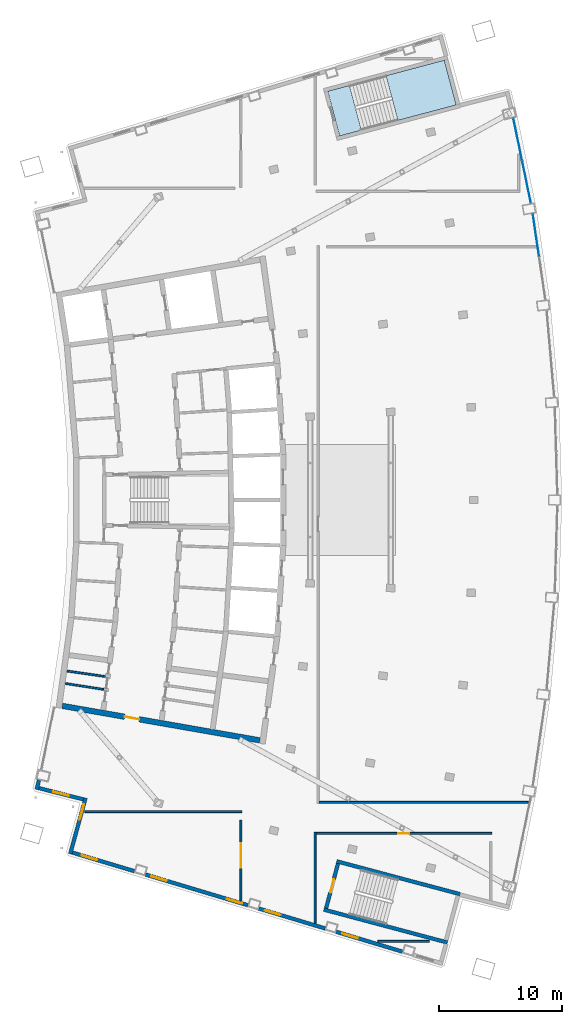
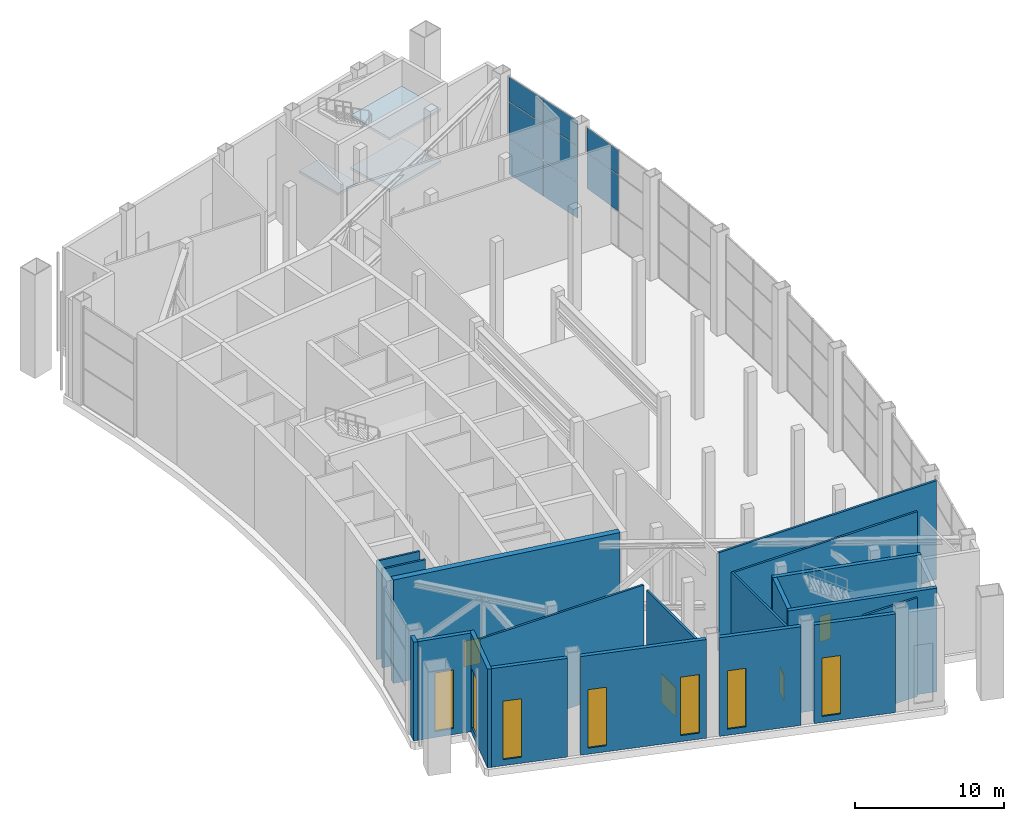
# One storey, part 17 of 25: 19 walls, 8 plates, 7 windows, 4 doors, 3 slabs, 11 openings, 3 elements without a shape of their own.
"""IFC4 building model written with IfcOpenShell, lengths in metres."""

from ifc_helpers import new_model, si_unit, direction, frame, frame_2d, origin, origin_2d, place, context, subcontext, project, spatial, polyline, rectangle, outline, extrude, material, layer, layer_set, type_object, element, fill, aggregate, save


model = new_model("IFC4")

# Units and contexts
model_context = context("Model", 3, precision=1e-05, world=origin(), true_north=direction((0.0, 1.0)))
body_context = subcontext(model_context, "Body", "Model", "MODEL_VIEW")
ifc_project = project(units=[si_unit("LENGTHUNIT", "METRE"), si_unit("AREAUNIT", "SQUARE_METRE"), si_unit("VOLUMEUNIT", "CUBIC_METRE"), si_unit("PLANEANGLEUNIT", "RADIAN"), si_unit("MASSUNIT", "GRAM", prefix="KILO")], contexts=[model_context])

# Site, building, storey
site_placement = place(None, origin())
site = spatial("IfcSite", under=ifc_project, at=site_placement, CompositionType="ELEMENT")
building_placement = place(site_placement, origin())
building = spatial("IfcBuilding", under=site, at=building_placement, Name="Alderwake Tower", CompositionType="ELEMENT")
storey_placement = place(building_placement, frame((0.0, 0.0, 296.0)))
storey = spatial("IfcBuildingStorey", under=building, at=storey_placement, Name="L73", CompositionType="ELEMENT", Elevation=296.0)

# Stair, slabs
ifc_material_1 = material(Name="Concrete C40/50", Category="concrete")
stair_type = type_object("IfcStairType", Name="Core exit stair", PredefinedType="HALF_TURN_STAIR", material=ifc_material_1)
stair_placement = place(storey_placement, origin())
stair = element("IfcStair", 1, at=stair_placement, inside=storey, type_object=stair_type, Name="L73 Exit Stair A", PredefinedType="HALF_TURN_STAIR")
ifc_material_2 = material(Name="Concrete C40/50", Category="concrete")
ifc_layer_1 = layer(ifc_material_2, 0.199951171875)
ifc_layer_set_1 = layer_set([ifc_layer_1], Name="Core stair landing 200")
slab_type = type_object("IfcSlabType", Name="Core stair landing 200", PredefinedType="LANDING", material=ifc_layer_set_1)
slab_1_placement = place(storey_placement, frame((0.0, 0.0, 1.925048828125)))
slab_1 = element("IfcSlab", 2, at=slab_1_placement, type_object=slab_type, Name="ST-A landing 1", PredefinedType="LANDING", context=body_context, shape_type="SweptSolid", body=[
    extrude(outline(polyline([(42.711181640625, 91.744384765625), (47.436279296875, 93.003173828125), (46.47119140625, 96.626708984375), (41.745849609375, 95.3681640625), (42.711181640625, 91.744384765625)])), origin(), (0.0, 0.0, 1.0), 0.199951171875),
])
slab_2_placement = place(storey_placement, frame((0.0, 0.0, 4.050048828125)))
slab_2 = element("IfcSlab", 3, at=slab_2_placement, type_object=slab_type, Name="ST-A landing 2", PredefinedType="LANDING", context=body_context, shape_type="SweptSolid", body=[
    extrude(outline(polyline([(37.99072265625, 90.487060546875), (39.754150390625, 90.956787109375), (38.7890625, 94.58056640625), (37.025634765625, 94.11083984375), (37.99072265625, 90.487060546875)])), origin(), (0.0, 0.0, 1.0), 0.199951171875),
])
slab_3_placement = place(storey_placement, frame((0.0, 0.0, 6.175048828125)))
slab_3 = element("IfcSlab", 4, at=slab_3_placement, type_object=slab_type, Name="ST-A landing 3", PredefinedType="LANDING", context=body_context, shape_type="SweptSolid", body=[
    extrude(outline(polyline([(42.711181640625, 91.744384765625), (47.436279296875, 93.003173828125), (46.47119140625, 96.626708984375), (41.745849609375, 95.3681640625), (42.711181640625, 91.744384765625)])), origin(), (0.0, 0.0, 1.0), 0.199951171875),
])
aggregate(stair, [slab_1, slab_2, slab_3])

# Curtain wall, plates
ifc_material_3 = material(Name="Bronze tinted glass in aluminium frame", Category="aluminium")
ifc_layer_2 = layer(ifc_material_3, 0.199951171875)
ifc_layer_set_2 = layer_set([ifc_layer_2], Name="Curtain wall CW4 damper floor viewing glazing")
curtain_wall_type = type_object("IfcCurtainWallType", Name="Curtain wall CW4 damper floor viewing glazing", PredefinedType="NOTDEFINED", material=ifc_layer_set_2)
curtain_wall_1_placement = place(storey_placement, origin())
curtain_wall_1 = element("IfcCurtainWall", 5, at=curtain_wall_1_placement, inside=storey, type_object=curtain_wall_type, Name="Curtain wall 7", PredefinedType="NOTDEFINED")
ifc_material_4 = material(Name="Bronze tinted glass in aluminium frame", Category="aluminium")
ifc_layer_3 = layer(ifc_material_4, 0.028076171875)
ifc_layer_set_3 = layer_set([ifc_layer_3], Name="Glass panel GPD 28")
plate_type = type_object("IfcPlateType", Name="Glass panel GPD 28", PredefinedType="CURTAIN_PANEL", material=ifc_layer_set_3)
plate_1_placement = place(storey_placement, frame((53.8984375, 82.437255859375, 3.030029296875), z_axis=(0.0, 0.0, 1.0), x_axis=(-0.145310296412, 0.989386131779, 0.0)))
plate_1 = element("IfcPlate", 6, at=plate_1_placement, type_object=plate_type, Name="CW.07 panel 2.2", PredefinedType="CURTAIN_PANEL", context=body_context, shape_type="SweptSolid", body=[
    extrude(rectangle(XDim=3.444091796875, YDim=0.028076171875, at=origin_2d()), origin(), (0.0, 0.0, 1.0), 2.93994140625),
])
plate_2_placement = place(storey_placement, frame((53.8984375, 82.437255859375, 6.02978515625), z_axis=(0.0, 0.0, 1.0), x_axis=(-0.145310296412, 0.989386131779, 0.0)))
plate_2 = element("IfcPlate", 7, at=plate_2_placement, type_object=plate_type, Name="CW.07 panel 2.3", PredefinedType="CURTAIN_PANEL", context=body_context, shape_type="SweptSolid", body=[
    extrude(rectangle(XDim=3.444091796875, YDim=0.028076171875, at=origin_2d()), origin(), (0.0, 0.0, 1.0), 2.010009765625),
])
aggregate(curtain_wall_1, [plate_1, plate_2])

curtain_wall_2_placement = place(storey_placement, origin())
curtain_wall_2 = element("IfcCurtainWall", 8, at=curtain_wall_2_placement, inside=storey, type_object=curtain_wall_type, Name="Curtain wall 8", PredefinedType="NOTDEFINED")
plate_3_placement = place(storey_placement, frame((53.13134765625, 86.77587890625, 0.06005859375), z_axis=(0.0, 0.0, 1.0), x_axis=(-0.202760916683, 0.979228273012, 0.0)))
plate_3 = element("IfcPlate", 9, at=plate_3_placement, type_object=plate_type, Name="CW.08 panel 1.1", PredefinedType="CURTAIN_PANEL", context=body_context, shape_type="SweptSolid", body=[
    extrude(rectangle(XDim=3.444091796875, YDim=0.028076171875, at=origin_2d()), origin(), (0.0, 0.0, 1.0), 2.909912109375),
])
plate_4_placement = place(storey_placement, frame((53.13134765625, 86.77587890625, 3.030029296875), z_axis=(0.0, 0.0, 1.0), x_axis=(-0.202760916683, 0.979228273012, 0.0)))
plate_4 = element("IfcPlate", 10, at=plate_4_placement, type_object=plate_type, Name="CW.08 panel 1.2", PredefinedType="CURTAIN_PANEL", context=body_context, shape_type="SweptSolid", body=[
    extrude(rectangle(XDim=3.444091796875, YDim=0.028076171875, at=origin_2d()), origin(), (0.0, 0.0, 1.0), 2.93994140625),
])
plate_5_placement = place(storey_placement, frame((53.13134765625, 86.77587890625, 6.02978515625), z_axis=(0.0, 0.0, 1.0), x_axis=(-0.202760916683, 0.979228273012, 0.0)))
plate_5 = element("IfcPlate", 11, at=plate_5_placement, type_object=plate_type, Name="CW.08 panel 1.3", PredefinedType="CURTAIN_PANEL", context=body_context, shape_type="SweptSolid", body=[
    extrude(rectangle(XDim=3.444091796875, YDim=0.028076171875, at=origin_2d()), origin(), (0.0, 0.0, 1.0), 2.010009765625),
])
plate_6_placement = place(storey_placement, frame((52.4208984375, 90.207275390625, 0.06005859375), z_axis=(0.0, 0.0, 1.0), x_axis=(-0.202760916683, 0.979228273012, 0.0)))
plate_6 = element("IfcPlate", 12, at=plate_6_placement, type_object=plate_type, Name="CW.08 panel 2.1", PredefinedType="CURTAIN_PANEL", context=body_context, shape_type="SweptSolid", body=[
    extrude(rectangle(XDim=3.444091796875, YDim=0.028076171875, at=origin_2d()), origin(), (0.0, 0.0, 1.0), 2.909912109375),
])
plate_7_placement = place(storey_placement, frame((52.4208984375, 90.207275390625, 3.030029296875), z_axis=(0.0, 0.0, 1.0), x_axis=(-0.202760916683, 0.979228273012, 0.0)))
plate_7 = element("IfcPlate", 13, at=plate_7_placement, type_object=plate_type, Name="CW.08 panel 2.2", PredefinedType="CURTAIN_PANEL", context=body_context, shape_type="SweptSolid", body=[
    extrude(rectangle(XDim=3.444091796875, YDim=0.028076171875, at=origin_2d()), origin(), (0.0, 0.0, 1.0), 2.93994140625),
])
plate_8_placement = place(storey_placement, frame((52.4208984375, 90.207275390625, 6.02978515625), z_axis=(0.0, 0.0, 1.0), x_axis=(-0.202760916683, 0.979228273012, 0.0)))
plate_8 = element("IfcPlate", 14, at=plate_8_placement, type_object=plate_type, Name="CW.08 panel 2.3", PredefinedType="CURTAIN_PANEL", context=body_context, shape_type="SweptSolid", body=[
    extrude(rectangle(XDim=3.444091796875, YDim=0.028076171875, at=origin_2d()), origin(), (0.0, 0.0, 1.0), 2.010009765625),
])
aggregate(curtain_wall_2, [plate_3, plate_4, plate_5, plate_6, plate_7, plate_8])

# Walls
ifc_material_5 = material(Name="Gypsum shaft wall system, rated")
ifc_layer_4 = layer(ifc_material_5, 0.14990234375)
ifc_layer_set_4 = layer_set([ifc_layer_4], Name="Core room partition 150")
wall_type_1 = type_object("IfcWallType", Name="Core room partition 150", PredefinedType="PARTITIONING", material=ifc_layer_set_4)
wall_1_placement = place(storey_placement, frame((15.777099609375, 46.136474609375, 0.0), z_axis=(0.0, 0.0, 1.0), x_axis=(0.988162490428, -0.153410861774, 0.0)))
element("IfcWall", 15, at=wall_1_placement, inside=storey, type_object=wall_type_1, Name="CW/L73/PR-161_+0", PredefinedType="PARTITIONING", context=body_context, shape_type="SweptSolid", body=[
    extrude(rectangle(XDim=3.13037109375, YDim=0.14990234375, at=frame_2d((1.565185546875, 0.0))), origin(), (0.0, 0.0, 1.0), 8.10009765625),
])
wall_2_placement = place(storey_placement, frame((15.916015625, 47.146484375, 0.0), z_axis=(0.0, 0.0, 1.0), x_axis=(0.989723447804, -0.142994744194, 0.0)))
element("IfcWall", 16, at=wall_2_placement, inside=storey, type_object=wall_type_1, Name="CW/L73/PR-150_+0", PredefinedType="PARTITIONING", context=body_context, shape_type="SweptSolid", body=[
    extrude(rectangle(XDim=3.1279296875, YDim=0.14990234375, at=frame_2d((1.56396484375, 0.0))), origin(), (0.0, 0.0, 1.0), 8.10009765625),
])

# Wall, opening, door
ifc_material_6 = material(Name="Concrete C70/85", Category="concrete")
ifc_layer_5 = layer(ifc_material_6, 0.449951171875)
ifc_layer_set_5 = layer_set([ifc_layer_5], Name="Core wall outer 450 C70-85")
wall_type_2 = type_object("IfcWallType", Name="Core wall outer 450 C70-85", PredefinedType="SHEAR", material=ifc_layer_set_5)
wall_3_placement = place(storey_placement, frame((31.523681640625, 41.529052734375, 0.0), z_axis=(0.0, 0.0, 1.0), x_axis=(-0.985099762962, 0.171983885907, 0.0)))
wall_3 = element("IfcWall", 17, at=wall_3_placement, inside=storey, type_object=wall_type_2, Name="Core wall CW.073", PredefinedType="SHEAR", context=body_context, shape_type="SweptSolid", body=[
    extrude(rectangle(XDim=16.23828125, YDim=0.449951171875, at=frame_2d((8.119140625, 0.0))), origin(), (0.0, 0.0, 1.0), 8.5),
])
opening_1_placement = place(wall_3_placement, frame((9.91064453125, 0.0, 0.0)))
opening_1 = element("IfcOpeningElement", 18, at=opening_1_placement, cuts=wall_3, Name="Opening C003", PredefinedType="OPENING", context=body_context, shape_type="SweptSolid", body=[
    extrude(rectangle(XDim=1.199951171875, YDim=2.10009765625, at=frame_2d((0.60009765625, 1.050048828125))), frame((0.0, 0.23486328125, 0.0), z_axis=(0.0, -1.0, 0.0), x_axis=(1.0, 0.0, 0.0)), (0.0, 0.0, 1.0), 0.469970703125),
])
ifc_material_7 = material(Name="Steel-framed fire door leaf", Category="steel")
door_type_1 = type_object("IfcDoorType", Name="Core lobby exit door 1200 fire-rated", OperationType="SINGLE_SWING_LEFT", PredefinedType="DOOR", material=ifc_material_7)
door_1_placement = place(opening_1_placement, origin())
door_1 = element("IfcDoor", 19, at=door_1_placement, inside=storey, type_object=door_type_1, Name="Lobby door", OperationType="SINGLE_SWING_LEFT", OverallHeight=2.10009765625, OverallWidth=1.199951171875, PredefinedType="DOOR", context=body_context, shape_type="SweptSolid", body=[
    extrude(rectangle(XDim=1.199951171875, YDim=2.10009765625, at=frame_2d((0.60009765625, 1.050048828125))), frame((0.0, 0.02490234375, 0.0), z_axis=(0.0, -1.0, 0.0), x_axis=(1.0, 0.0, 0.0)), (0.0, 0.0, 1.0), 0.050048828125),
])
fill(opening_1, door_1)

# Walls
ifc_material_8 = material(Name="Concrete C70/85", Category="concrete")
ifc_layer_6 = layer(ifc_material_8, 0.300048828125)
ifc_layer_set_6 = layer_set([ifc_layer_6], Name="Core wall stair enclosure 300 C70-85")
wall_type_3 = type_object("IfcWallType", Name="Core wall stair enclosure 300 C70-85", PredefinedType="SHEAR", material=ifc_layer_set_6)
for number, where, z_axis, x_axis, name in (
    (20, (37.75390625, 31.731201171875, 0.0), (0.0, 0.0, 1.0), (0.966309214305, -0.257383958996, 0.0), "Core wall CW.086"),
    (21, (36.71142578125, 27.817626953125, 0.0), (0.0, 0.0, 1.0), (0.966309214305, -0.257383958996, 0.0), "Core wall CW.088"),
):
    element("IfcWall", number, at=place(storey_placement, frame(where, z_axis=z_axis, x_axis=x_axis)), inside=storey, type_object=wall_type_3, Name=name, PredefinedType="SHEAR", context=body_context, shape_type="SweptSolid", body=[
        extrude(rectangle(XDim=10.360107421875, YDim=0.300048828125, at=frame_2d((5.18017578125, 0.0))), origin(), (0.0, 0.0, 1.0), 8.5),
    ])

# Wall, opening, door
wall_4_placement = place(storey_placement, frame((36.89501953125, 27.923828125, 0.0), z_axis=(0.0, 0.0, 1.0), x_axis=(0.257350630826, 0.966318090907, 0.0)))
wall_4 = element("IfcWall", 22, at=wall_4_placement, inside=storey, type_object=wall_type_3, Name="Core wall CW.087", PredefinedType="SHEAR", context=body_context, shape_type="SweptSolid", body=[
    extrude(rectangle(XDim=3.75, YDim=0.300048828125, at=frame_2d((1.875, 0.0))), origin(), (0.0, 0.0, 1.0), 8.5),
])
opening_2_placement = place(wall_4_placement, frame((1.324951171875, 0.0, 0.0)))
opening_2 = element("IfcOpeningElement", 23, at=opening_2_placement, cuts=wall_4, Name="Opening C065", PredefinedType="OPENING", context=body_context, shape_type="SweptSolid", body=[
    extrude(rectangle(XDim=1.10009765625, YDim=2.10009765625, at=frame_2d((0.550048828125, 1.050048828125))), frame((0.0, 0.159912109375, 0.0), z_axis=(0.0, -1.0, 0.0), x_axis=(1.0, 0.0, 0.0)), (0.0, 0.0, 1.0), 0.320068359375),
])
ifc_material_9 = material(Name="Steel-framed fire door leaf", Category="steel")
door_type_2 = type_object("IfcDoorType", Name="Core stair door 1100 fire-rated", OperationType="SINGLE_SWING_LEFT", PredefinedType="DOOR", material=ifc_material_9)
door_2_placement = place(opening_2_placement, origin())
door_2 = element("IfcDoor", 24, at=door_2_placement, inside=storey, type_object=door_type_2, Name="Stair door", OperationType="SINGLE_SWING_LEFT", OverallHeight=2.10009765625, OverallWidth=1.10009765625, PredefinedType="DOOR", context=body_context, shape_type="SweptSolid", body=[
    extrude(rectangle(XDim=1.10009765625, YDim=2.10009765625, at=frame_2d((0.550048828125, 1.050048828125))), frame((0.0, 0.02490234375, 0.0), z_axis=(0.0, -1.0, 0.0), x_axis=(1.0, 0.0, 0.0)), (0.0, 0.0, 1.0), 0.050048828125),
])
fill(opening_2, door_2)

# Wall
ifc_material_10 = material(Name="Gypsum board on metal studs, rated")
ifc_layer_7 = layer(ifc_material_10, 0.159912109375)
ifc_layer_set_7 = layer_set([ifc_layer_7], Name="Corridor wall 160")
wall_type_4 = type_object("IfcWallType", Name="Corridor wall 160", PredefinedType="PARTITIONING", material=ifc_layer_set_7)
wall_5_placement = place(storey_placement, frame((17.356689453125, 35.7509765625, 0.0), z_axis=(0.0, 0.0, 1.0), x_axis=(1.0, 0.0, 0.0)))
element("IfcWall", 25, at=wall_5_placement, inside=storey, type_object=wall_type_4, Name="WL/L73/W03", PredefinedType="PARTITIONING", context=body_context, shape_type="SweptSolid", body=[
    extrude(rectangle(XDim=12.723388671875, YDim=0.159912109375, at=frame_2d((6.36181640625, 0.0))), origin(), (0.0, 0.0, 1.0), 8.10009765625),
])

# Wall, opening, door
wall_6_placement = place(storey_placement, frame((30.0, 35.071044921875, 0.0), z_axis=(0.0, 0.0, 1.0), x_axis=(0.0, -1.0, 0.0)))
wall_6 = element("IfcWall", 26, at=wall_6_placement, inside=storey, type_object=wall_type_4, Name="WL/L73/W04", PredefinedType="PARTITIONING", context=body_context, shape_type="SweptSolid", body=[
    extrude(rectangle(XDim=6.553955078125, YDim=0.159912109375, at=frame_2d((3.27685546875, 0.0))), origin(), (0.0, 0.0, 1.0), 8.10009765625),
])
opening_3_placement = place(wall_6_placement, frame((1.87109375, 0.0, 0.0)))
opening_3 = element("IfcOpeningElement", 27, at=opening_3_placement, cuts=wall_6, Name="Opening L73-02", PredefinedType="OPENING", context=body_context, shape_type="SweptSolid", body=[
    extrude(rectangle(XDim=2.0, YDim=2.39990234375, at=frame_2d((1.0, 1.199951171875))), frame((0.0, 0.08984375, 0.0), z_axis=(0.0, -1.0, 0.0), x_axis=(1.0, 0.0, 0.0)), (0.0, 0.0, 1.0), 0.179931640625),
])
ifc_material_11 = material(Name="Timber leaves with glazed panels", Category="wood")
door_type_3 = type_object("IfcDoorType", Name="Hall double door 2000", OperationType="DOUBLE_DOOR_SINGLE_SWING", PredefinedType="DOOR", material=ifc_material_11)
door_3_placement = place(opening_3_placement, origin())
door_3 = element("IfcDoor", 28, at=door_3_placement, inside=storey, type_object=door_type_3, Name="DR/L73/02", OperationType="DOUBLE_DOOR_SINGLE_SWING", OverallHeight=2.39990234375, OverallWidth=2.0, PredefinedType="DOOR", context=body_context, shape_type="SweptSolid", body=[
    extrude(rectangle(XDim=2.0, YDim=2.39990234375, at=frame_2d((1.0, 1.199951171875))), frame((0.0, 0.02490234375, 0.0), z_axis=(0.0, -1.0, 0.0), x_axis=(1.0, 0.0, 0.0)), (0.0, 0.0, 1.0), 0.050048828125),
])
fill(opening_3, door_3)

# Wall
wall_7_placement = place(storey_placement, frame((36.0, 26.717041015625, 0.0), z_axis=(0.0, 0.0, 1.0), x_axis=(0.0, 1.0, 0.0)))
element("IfcWall", 29, at=wall_7_placement, inside=storey, type_object=wall_type_4, Name="WL/L73/W07", PredefinedType="PARTITIONING", context=body_context, shape_type="SweptSolid", body=[
    extrude(rectangle(XDim=7.362060546875, YDim=0.159912109375, at=frame_2d((3.68115234375, 0.0))), origin(), (0.0, 0.0, 1.0), 8.10009765625),
])

# Wall, opening, door
wall_8_placement = place(storey_placement, frame((36.080078125, 33.9990234375, 0.0), z_axis=(0.0, 0.0, 1.0), x_axis=(1.0, 0.0, 0.0)))
wall_8 = element("IfcWall", 30, at=wall_8_placement, inside=storey, type_object=wall_type_4, Name="WL/L73/W08", PredefinedType="PARTITIONING", context=body_context, shape_type="SweptSolid", body=[
    extrude(rectangle(XDim=14.25, YDim=0.159912109375, at=frame_2d((7.125, 0.0))), origin(), (0.0, 0.0, 1.0), 8.10009765625),
])
opening_4_placement = place(wall_8_placement, frame((6.669921875, 0.0, 0.0)))
opening_4 = element("IfcOpeningElement", 31, at=opening_4_placement, cuts=wall_8, Name="Opening L73-05", PredefinedType="OPENING", context=body_context, shape_type="SweptSolid", body=[
    extrude(rectangle(XDim=0.89990234375, YDim=2.10009765625, at=frame_2d((0.449951171875, 1.050048828125))), frame((0.0, 0.08984375, 0.0), z_axis=(0.0, -1.0, 0.0), x_axis=(1.0, 0.0, 0.0)), (0.0, 0.0, 1.0), 0.179931640625),
])
ifc_material_12 = material(Name="Painted timber leaf", Category="wood")
door_type_4 = type_object("IfcDoorType", Name="Room door 900", OperationType="SINGLE_SWING_LEFT", PredefinedType="DOOR", material=ifc_material_12)
door_4_placement = place(opening_4_placement, origin())
door_4 = element("IfcDoor", 32, at=door_4_placement, inside=storey, type_object=door_type_4, Name="DR/L73/05", OperationType="SINGLE_SWING_LEFT", OverallHeight=2.10009765625, OverallWidth=0.89990234375, PredefinedType="DOOR", context=body_context, shape_type="SweptSolid", body=[
    extrude(rectangle(XDim=0.89990234375, YDim=2.10009765625, at=frame_2d((0.449951171875, 1.050048828125))), frame((0.0, 0.02490234375, 0.0), z_axis=(0.0, -1.0, 0.0), x_axis=(1.0, 0.0, 0.0)), (0.0, 0.0, 1.0), 0.050048828125),
])
fill(opening_4, door_4)

# Walls
wall_9_placement = place(storey_placement, frame((45.26123046875, 25.2509765625, 0.0), z_axis=(0.0, 0.0, 1.0), x_axis=(-1.0, 0.0, 0.0)))
element("IfcWall", 33, at=wall_9_placement, inside=storey, type_object=wall_type_4, Name="WL/L73/W16", PredefinedType="PARTITIONING", context=body_context, shape_type="SweptSolid", body=[
    extrude(rectangle(XDim=4.179443359375, YDim=0.159912109375, at=frame_2d((2.08984375, 0.0))), origin(), (0.0, 0.0, 1.0), 8.10009765625),
])
wall_10_placement = place(storey_placement, frame((53.251953125, 36.5009765625, 0.0), z_axis=(0.0, 0.0, 1.0), x_axis=(-1.0, 0.0, 0.0)))
element("IfcWall", 34, at=wall_10_placement, inside=storey, type_object=wall_type_4, Name="WL/L73/W21", PredefinedType="PARTITIONING", context=body_context, shape_type="SweptSolid", body=[
    extrude(rectangle(XDim=16.9228515625, YDim=0.159912109375, at=frame_2d((8.46142578125, 0.0))), origin(), (0.0, 0.0, 1.0), 8.10009765625),
])
ifc_material_13 = material(Name="Bronze metal cladding on lightweight framing")
ifc_layer_8 = layer(ifc_material_13, 0.300048828125)
ifc_layer_set_8 = layer_set([ifc_layer_8], Name="External wall EW3 plant enclosure")
wall_type_5 = type_object("IfcWallType", Name="External wall EW3 plant enclosure", PredefinedType="SOLIDWALL", material=ifc_layer_set_8)
wall_11_placement = place(storey_placement, frame((13.643310546875, 38.33154296875, 0.0), z_axis=(0.0, 0.0, 1.0), x_axis=(-0.238313493867, -0.971188281767, 0.0)))
element("IfcWall", 35, at=wall_11_placement, inside=storey, type_object=wall_type_5, Name="External wall 1", PredefinedType="SOLIDWALL", context=body_context, shape_type="SweptSolid", body=[
    extrude(rectangle(XDim=0.80322265625, YDim=0.300048828125, at=frame_2d((0.401611328125, 0.0))), origin(), (0.0, 0.0, 1.0), 8.10009765625),
])

# Wall, opening, window
wall_12_placement = place(storey_placement, frame((13.633056640625, 37.660400390625, 0.0), z_axis=(0.0, 0.0, 1.0), x_axis=(0.969417366605, -0.245417948254, 0.0)))
wall_12 = element("IfcWall", 36, at=wall_12_placement, inside=storey, type_object=wall_type_5, Name="External wall 2", PredefinedType="SOLIDWALL", context=body_context, shape_type="SweptSolid", body=[
    extrude(rectangle(XDim=3.70556640625, YDim=0.300048828125, at=frame_2d((1.852783203125, 0.0))), origin(), (0.0, 0.0, 1.0), 8.10009765625),
])
opening_5_placement = place(wall_12_placement, frame((1.202880859375, 0.0, 0.5)))
opening_5 = element("IfcOpeningElement", 37, at=opening_5_placement, cuts=wall_12, Name="Opening LV1", PredefinedType="OPENING", context=body_context, shape_type="SweptSolid", body=[
    extrude(rectangle(XDim=1.300048828125, YDim=4.800048828125, at=frame_2d((0.64990234375, 2.39990234375))), frame((0.0, 0.159912109375, 0.0), z_axis=(0.0, -1.0, 0.0), x_axis=(1.0, 0.0, 0.0)), (0.0, 0.0, 1.0), 0.320068359375),
])
ifc_material_14 = material(Name="Bronze anodised aluminium louvre", Category="aluminium")
window_type = type_object("IfcWindowType", Name="Louvre LV1 plant floor", PartitioningType="SINGLE_PANEL", PredefinedType="USERDEFINED", material=ifc_material_14)
window_1_placement = place(opening_5_placement, origin())
window_1 = element("IfcWindow", 38, at=window_1_placement, inside=storey, type_object=window_type, Name="Louvre LV1 plant floor", ObjectType="LOUVRE", OverallHeight=4.800048828125, OverallWidth=1.300048828125, PartitioningType="SINGLE_PANEL", PredefinedType="USERDEFINED", context=body_context, shape_type="SweptSolid", body=[
    extrude(rectangle(XDim=1.300048828125, YDim=4.800048828125, at=frame_2d((0.64990234375, 2.39990234375))), frame((0.0, 0.030029296875, 0.0), z_axis=(0.0, -1.0, 0.0), x_axis=(1.0, 0.0, 0.0)), (0.0, 0.0, 1.0), 0.06005859375),
])
fill(opening_5, window_1)

wall_13_placement = place(storey_placement, frame((17.410400390625, 36.85888671875, 0.0), z_axis=(0.0, 0.0, 1.0), x_axis=(-0.264592640785, -0.96436027212, 0.0)))
wall_13 = element("IfcWall", 39, at=wall_13_placement, inside=storey, type_object=wall_type_5, Name="External wall 3", PredefinedType="SOLIDWALL", context=body_context, shape_type="SweptSolid", body=[
    extrude(rectangle(XDim=4.690185546875, YDim=0.300048828125, at=frame_2d((2.34521484375, 0.0))), origin(), (0.0, 0.0, 1.0), 8.10009765625),
])
opening_6_placement = place(wall_13_placement, frame((0.5224609375, 0.0, 0.5)))
opening_6 = element("IfcOpeningElement", 40, at=opening_6_placement, cuts=wall_13, Name="Opening LV1", PredefinedType="OPENING", context=body_context, shape_type="SweptSolid", body=[
    extrude(rectangle(XDim=1.300048828125, YDim=4.800048828125, at=frame_2d((0.64990234375, 2.39990234375))), frame((0.0, 0.159912109375, 0.0), z_axis=(0.0, -1.0, 0.0), x_axis=(1.0, 0.0, 0.0)), (0.0, 0.0, 1.0), 0.320068359375),
])
window_2_placement = place(opening_6_placement, origin())
window_2 = element("IfcWindow", 41, at=window_2_placement, inside=storey, type_object=window_type, Name="Louvre LV1 plant floor", ObjectType="LOUVRE", OverallHeight=4.800048828125, OverallWidth=1.300048828125, PartitioningType="SINGLE_PANEL", PredefinedType="USERDEFINED", context=body_context, shape_type="SweptSolid", body=[
    extrude(rectangle(XDim=1.300048828125, YDim=4.800048828125, at=frame_2d((0.64990234375, 2.39990234375))), frame((0.0, 0.030029296875, 0.0), z_axis=(0.0, -1.0, 0.0), x_axis=(1.0, 0.0, 0.0)), (0.0, 0.0, 1.0), 0.06005859375),
])
fill(opening_6, window_2)

wall_14_placement = place(storey_placement, frame((16.352783203125, 32.4375, 0.0), z_axis=(0.0, 0.0, 1.0), x_axis=(0.957768668152, -0.287539872551, 0.0)))
wall_14 = element("IfcWall", 42, at=wall_14_placement, inside=storey, type_object=wall_type_5, Name="External wall 4", PredefinedType="SOLIDWALL", context=body_context, shape_type="SweptSolid", body=[
    extrude(rectangle(XDim=5.249755859375, YDim=0.300048828125, at=frame_2d((2.625, 0.0))), origin(), (0.0, 0.0, 1.0), 8.10009765625),
])
opening_7_placement = place(wall_14_placement, frame((0.775390625, 0.0, 0.5)))
opening_7 = element("IfcOpeningElement", 43, at=opening_7_placement, cuts=wall_14, Name="Opening LV1", PredefinedType="OPENING", context=body_context, shape_type="SweptSolid", body=[
    extrude(rectangle(XDim=1.300048828125, YDim=4.800048828125, at=frame_2d((0.64990234375, 2.39990234375))), frame((0.0, 0.159912109375, 0.0), z_axis=(0.0, -1.0, 0.0), x_axis=(1.0, 0.0, 0.0)), (0.0, 0.0, 1.0), 0.320068359375),
])
window_3_placement = place(opening_7_placement, origin())
window_3 = element("IfcWindow", 44, at=window_3_placement, inside=storey, type_object=window_type, Name="Louvre LV1 plant floor", ObjectType="LOUVRE", OverallHeight=4.800048828125, OverallWidth=1.300048828125, PartitioningType="SINGLE_PANEL", PredefinedType="USERDEFINED", context=body_context, shape_type="SweptSolid", body=[
    extrude(rectangle(XDim=1.300048828125, YDim=4.800048828125, at=frame_2d((0.64990234375, 2.39990234375))), frame((0.0, 0.030029296875, 0.0), z_axis=(0.0, -1.0, 0.0), x_axis=(1.0, 0.0, 0.0)), (0.0, 0.0, 1.0), 0.06005859375),
])
fill(opening_7, window_3)

# Wall, openings, windows
wall_15_placement = place(storey_placement, frame((22.24658203125, 30.668212890625, 0.0), z_axis=(0.0, 0.0, 1.0), x_axis=(0.957762902908, -0.287559075345, 0.0)))
wall_15 = element("IfcWall", 45, at=wall_15_placement, inside=storey, type_object=wall_type_5, Name="External wall 5", PredefinedType="SOLIDWALL", context=body_context, shape_type="SweptSolid", body=[
    extrude(rectangle(XDim=8.696533203125, YDim=0.300048828125, at=frame_2d((4.34814453125, 0.0))), origin(), (0.0, 0.0, 1.0), 8.10009765625),
])
opening_8_placement = place(wall_15_placement, frame((0.498046875, 0.0, 0.5)))
opening_8 = element("IfcOpeningElement", 46, at=opening_8_placement, cuts=wall_15, Name="Opening LV1", PredefinedType="OPENING", context=body_context, shape_type="SweptSolid", body=[
    extrude(rectangle(XDim=1.300048828125, YDim=4.800048828125, at=frame_2d((0.64990234375, 2.39990234375))), frame((0.0, 0.159912109375, 0.0), z_axis=(0.0, -1.0, 0.0), x_axis=(1.0, 0.0, 0.0)), (0.0, 0.0, 1.0), 0.320068359375),
])
opening_9_placement = place(wall_15_placement, frame((6.898193359375, 0.0, 0.5)))
opening_9 = element("IfcOpeningElement", 47, at=opening_9_placement, cuts=wall_15, Name="Opening LV1", PredefinedType="OPENING", context=body_context, shape_type="SweptSolid", body=[
    extrude(rectangle(XDim=1.300048828125, YDim=4.800048828125, at=frame_2d((0.64990234375, 2.39990234375))), frame((0.0, 0.159912109375, 0.0), z_axis=(0.0, -1.0, 0.0), x_axis=(1.0, 0.0, 0.0)), (0.0, 0.0, 1.0), 0.320068359375),
])
window_4_placement = place(opening_8_placement, origin())
window_4 = element("IfcWindow", 48, at=window_4_placement, inside=storey, type_object=window_type, Name="Louvre LV1 plant floor", ObjectType="LOUVRE", OverallHeight=4.800048828125, OverallWidth=1.300048828125, PartitioningType="SINGLE_PANEL", PredefinedType="USERDEFINED", context=body_context, shape_type="SweptSolid", body=[
    extrude(rectangle(XDim=1.300048828125, YDim=4.800048828125, at=frame_2d((0.64990234375, 2.39990234375))), frame((0.0, 0.030029296875, 0.0), z_axis=(0.0, -1.0, 0.0), x_axis=(1.0, 0.0, 0.0)), (0.0, 0.0, 1.0), 0.06005859375),
])
fill(opening_8, window_4)
window_5_placement = place(opening_9_placement, origin())
window_5 = element("IfcWindow", 49, at=window_5_placement, inside=storey, type_object=window_type, Name="Louvre LV1 plant floor", ObjectType="LOUVRE", OverallHeight=4.800048828125, OverallWidth=1.300048828125, PartitioningType="SINGLE_PANEL", PredefinedType="USERDEFINED", context=body_context, shape_type="SweptSolid", body=[
    extrude(rectangle(XDim=1.300048828125, YDim=4.800048828125, at=frame_2d((0.64990234375, 2.39990234375))), frame((0.0, 0.030029296875, 0.0), z_axis=(0.0, -1.0, 0.0), x_axis=(1.0, 0.0, 0.0)), (0.0, 0.0, 1.0), 0.06005859375),
])
fill(opening_9, window_5)

# Wall, opening, window
wall_16_placement = place(storey_placement, frame((31.441162109375, 27.90771484375, 0.0), z_axis=(0.0, 0.0, 1.0), x_axis=(0.957764198898, -0.287554758802, 0.0)))
wall_16 = element("IfcWall", 50, at=wall_16_placement, inside=storey, type_object=wall_type_5, Name="External wall 6", PredefinedType="SOLIDWALL", context=body_context, shape_type="SweptSolid", body=[
    extrude(rectangle(XDim=5.6298828125, YDim=0.300048828125, at=frame_2d((2.81494140625, 0.0))), origin(), (0.0, 0.0, 1.0), 8.10009765625),
])
opening_10_placement = place(wall_16_placement, frame((0.531494140625, 0.0, 0.5)))
opening_10 = element("IfcOpeningElement", 51, at=opening_10_placement, cuts=wall_16, Name="Opening LV1", PredefinedType="OPENING", context=body_context, shape_type="SweptSolid", body=[
    extrude(rectangle(XDim=1.300048828125, YDim=4.800048828125, at=frame_2d((0.64990234375, 2.39990234375))), frame((0.0, 0.159912109375, 0.0), z_axis=(0.0, -1.0, 0.0), x_axis=(1.0, 0.0, 0.0)), (0.0, 0.0, 1.0), 0.320068359375),
])
window_6_placement = place(opening_10_placement, origin())
window_6 = element("IfcWindow", 52, at=window_6_placement, inside=storey, type_object=window_type, Name="Louvre LV1 plant floor", ObjectType="LOUVRE", OverallHeight=4.800048828125, OverallWidth=1.300048828125, PartitioningType="SINGLE_PANEL", PredefinedType="USERDEFINED", context=body_context, shape_type="SweptSolid", body=[
    extrude(rectangle(XDim=1.300048828125, YDim=4.800048828125, at=frame_2d((0.64990234375, 2.39990234375))), frame((0.0, 0.030029296875, 0.0), z_axis=(0.0, -1.0, 0.0), x_axis=(1.0, 0.0, 0.0)), (0.0, 0.0, 1.0), 0.06005859375),
])
fill(opening_10, window_6)

wall_17_placement = place(storey_placement, frame((37.698486328125, 26.029052734375, 0.0), z_axis=(0.0, 0.0, 1.0), x_axis=(0.957755841517, -0.287582593423, 0.0)))
wall_17 = element("IfcWall", 53, at=wall_17_placement, inside=storey, type_object=wall_type_5, Name="External wall 7", PredefinedType="SOLIDWALL", context=body_context, shape_type="SweptSolid", body=[
    extrude(rectangle(XDim=5.630126953125, YDim=0.300048828125, at=frame_2d((2.81494140625, 0.0))), origin(), (0.0, 0.0, 1.0), 8.10009765625),
])
opening_11_placement = place(wall_17_placement, frame((0.531494140625, 0.0, 0.5)))
opening_11 = element("IfcOpeningElement", 54, at=opening_11_placement, cuts=wall_17, Name="Opening LV1", PredefinedType="OPENING", context=body_context, shape_type="SweptSolid", body=[
    extrude(rectangle(XDim=1.300048828125, YDim=4.800048828125, at=frame_2d((0.64990234375, 2.39990234375))), frame((0.0, 0.159912109375, 0.0), z_axis=(0.0, -1.0, 0.0), x_axis=(1.0, 0.0, 0.0)), (0.0, 0.0, 1.0), 0.320068359375),
])
window_7_placement = place(opening_11_placement, origin())
window_7 = element("IfcWindow", 55, at=window_7_placement, inside=storey, type_object=window_type, Name="Louvre LV1 plant floor", ObjectType="LOUVRE", OverallHeight=4.800048828125, OverallWidth=1.300048828125, PartitioningType="SINGLE_PANEL", PredefinedType="USERDEFINED", context=body_context, shape_type="SweptSolid", body=[
    extrude(rectangle(XDim=1.300048828125, YDim=4.800048828125, at=frame_2d((0.64990234375, 2.39990234375))), frame((0.0, 0.030029296875, 0.0), z_axis=(0.0, -1.0, 0.0), x_axis=(1.0, 0.0, 0.0)), (0.0, 0.0, 1.0), 0.06005859375),
])
fill(opening_11, window_7)

save(model, "model.ifc")
